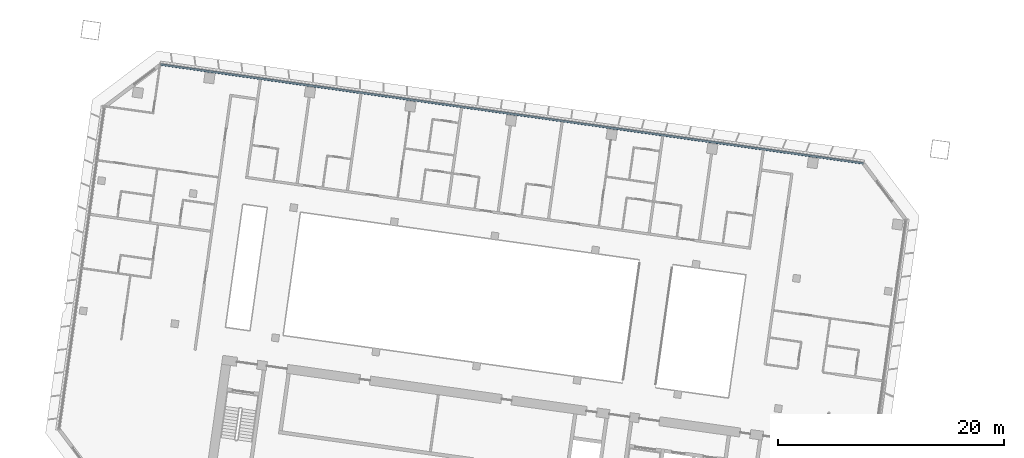
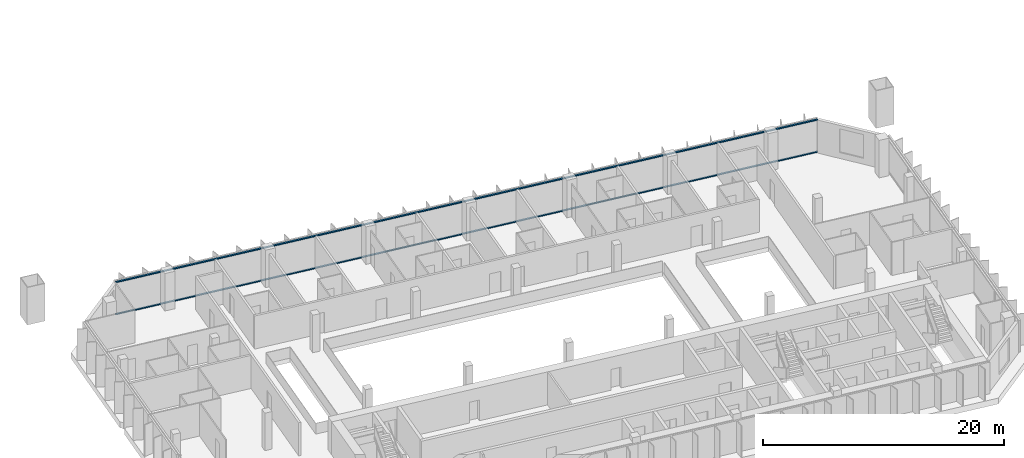
# One storey, part 4 of 26: 2 members, 1 element without a shape of its own.
"""IFC4 building model written with IfcOpenShell, lengths in metres."""

from ifc_helpers import new_model, si_unit, direction, frame, origin, origin_2d, place, context, subcontext, project, spatial, rectangle, extrude, material, material_profile, profile_set, type_object, element, aggregate, save


model = new_model("IFC4")

# Units and contexts
model_context = context("Model", 3, precision=1e-05, world=origin(), true_north=direction((0.0, 1.0)))
body_context = subcontext(model_context, "Body", "Model", "MODEL_VIEW")
ifc_project = project(units=[si_unit("LENGTHUNIT", "METRE"), si_unit("AREAUNIT", "SQUARE_METRE"), si_unit("VOLUMEUNIT", "CUBIC_METRE"), si_unit("PLANEANGLEUNIT", "RADIAN"), si_unit("MASSUNIT", "GRAM", prefix="KILO")], contexts=[model_context])

# Site, building, storey
site_placement = place(None, origin())
site = spatial("IfcSite", under=ifc_project, at=site_placement, CompositionType="ELEMENT")
building_placement = place(site_placement, origin())
building = spatial("IfcBuilding", under=site, at=building_placement, Name="Mirante Cascada Hotel Towers", CompositionType="ELEMENT")
storey_placement = place(building_placement, frame((0.0, 0.0, 140.5)))
storey = spatial("IfcBuildingStorey", under=building, at=storey_placement, Name="L32", CompositionType="ELEMENT", Elevation=140.5)

# Curtain wall, members
ifc_material_1 = material(Name="Aluminium mullion and transom frame with clear laminated glass", Category="aluminium")
curtain_wall_type = type_object("IfcCurtainWallType", Name="Ribbon curtain wall ECW1", PredefinedType="NOTDEFINED", material=ifc_material_1)
curtain_wall_placement = place(storey_placement, origin())
curtain_wall = element("IfcCurtainWall", 1, at=curtain_wall_placement, inside=storey, type_object=curtain_wall_type, Name="Front ribbon wall T1 L32", PredefinedType="NOTDEFINED")
ifc_material_2 = material(Name="Anodised aluminium extrusion", Category="aluminium")
ifc_material_profile = material_profile(ifc_material_2, rectangle(XDim=0.16, YDim=0.1, at=origin_2d()), Name="ECW1 TRANSOM 100x160")
ifc_profile_set = profile_set([ifc_material_profile], Name="Anodised aluminium extrusion")
member_type = type_object("IfcMemberType", Name="ECW1 transom 100x160", PredefinedType="USERDEFINED", material=ifc_profile_set)
member_1_placement = place(storey_placement, frame((-94.1582, 26.0521, 0.05), z_axis=(0.9902681, -0.1391728, 0.0), x_axis=(0.1391728, 0.9902681, 0.0)))
member_1 = element("IfcMember", 2, at=member_1_placement, type_object=member_type, Name="ECW1 sill transom", ObjectType="TRANSOM", PredefinedType="USERDEFINED", context=body_context, shape_type="SweptSolid", body=[
    extrude(rectangle(XDim=0.16, YDim=0.1, at=origin_2d()), origin(), (0.0, 0.0, 1.0), 62.8758),
])
member_2_placement = place(storey_placement, frame((-94.1582, 26.0521, 3.3), z_axis=(0.9902681, -0.1391728, 0.0), x_axis=(0.1391728, 0.9902681, 0.0)))
member_2 = element("IfcMember", 3, at=member_2_placement, type_object=member_type, Name="ECW1 head transom", ObjectType="TRANSOM", PredefinedType="USERDEFINED", context=body_context, shape_type="SweptSolid", body=[
    extrude(rectangle(XDim=0.16, YDim=0.1, at=origin_2d()), origin(), (0.0, 0.0, 1.0), 62.8758),
])
aggregate(curtain_wall, [member_1, member_2])

save(model, "model.ifc")
